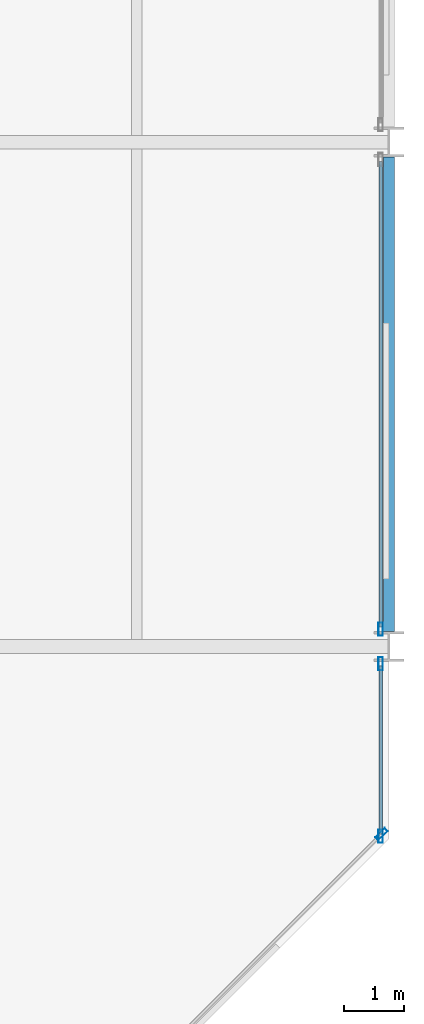
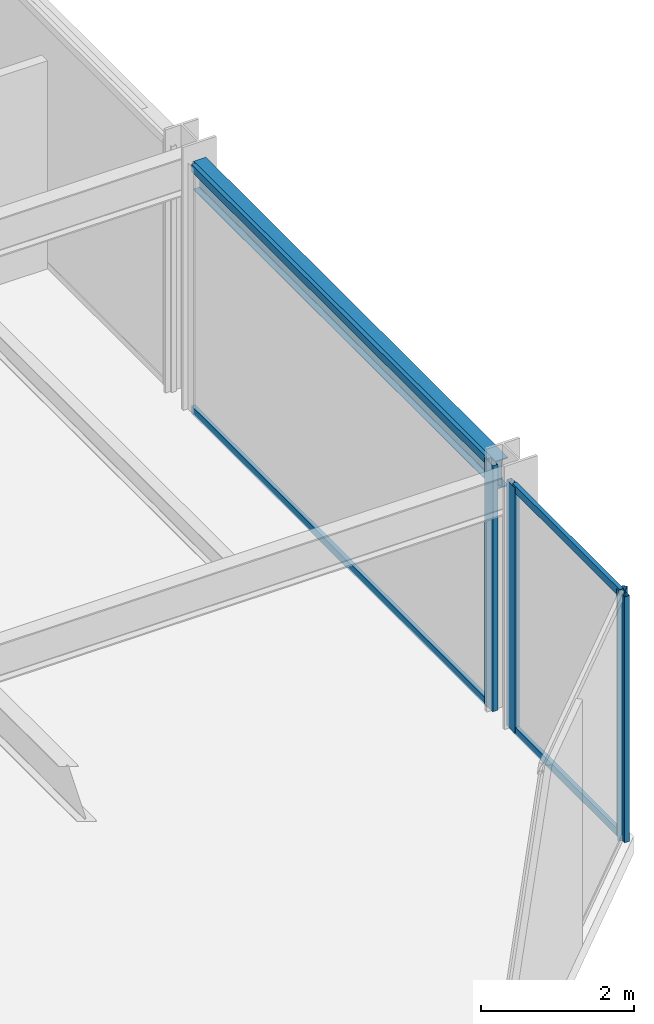
# One storey, part 11 of 24: 8 members, 1 beam, 3 elements without a shape of their own.
"""IFC4 building model written with IfcOpenShell, lengths in metres."""

from ifc_helpers import new_model, si_unit, direction, frame, origin, origin_2d, place, context, subcontext, project, spatial, hollow_rectangle, i_section, extrude, material, layer, layer_set, material_profile, profile_set, type_object, element, aggregate, save


model = new_model("IFC4")

# Units and contexts
model_context = context("Model", 3, precision=1e-05, world=origin(), true_north=direction((0.0, 1.0)))
body_context = subcontext(model_context, "Body", "Model", "MODEL_VIEW")
ifc_project = project(units=[si_unit("LENGTHUNIT", "METRE"), si_unit("AREAUNIT", "SQUARE_METRE"), si_unit("VOLUMEUNIT", "CUBIC_METRE"), si_unit("PLANEANGLEUNIT", "RADIAN"), si_unit("MASSUNIT", "GRAM", prefix="KILO")], contexts=[model_context])

# Site, building, storey
site_placement = place(None, origin())
site = spatial("IfcSite", under=ifc_project, at=site_placement, CompositionType="ELEMENT")
building_placement = place(site_placement, origin())
building = spatial("IfcBuilding", under=site, at=building_placement, Name="Nerrivon Quay Data Exchange", CompositionType="ELEMENT")
storey_placement = place(building_placement, frame((0.0, 0.0, 50.0)))
storey = spatial("IfcBuildingStorey", under=building, at=storey_placement, Name="L11", CompositionType="ELEMENT", Elevation=50.0)

# Beam
ifc_material_1 = material(Name="Steel Grade 350", Category="steel")
ifc_material_profile_1 = material_profile(ifc_material_1, i_section(OverallWidth=0.18994140625, OverallDepth=0.4541015625, WebThickness=0.008544921875, FlangeThickness=0.0126953125, FilletRadius=0.011474609375, at=origin_2d()), Name="460UB67.1")
ifc_profile_set_1 = profile_set([ifc_material_profile_1], Name="Steel Grade 350")
beam_type = type_object("IfcBeamType", Name="BM-SP1-460UB67", PredefinedType="SPANDREL", material=ifc_profile_set_1)
beam_placement = place(storey_placement, frame((50.39990234375, 8.64990234375, 3.697998046875), z_axis=(0.0, 1.0, 0.0), x_axis=(-1.0, 0.0, 0.0)))
element("IfcBeam", 1, at=beam_placement, inside=storey, type_object=beam_type, Name="L11 NS Girder X=50.4 (8.4..16.8)", PredefinedType="SPANDREL", context=body_context, shape_type="SweptSolid", body=[
    extrude(i_section(OverallWidth=0.18994140625, OverallDepth=0.4541015625, WebThickness=0.008544921875, FlangeThickness=0.0126953125, FilletRadius=0.011474609375, at=origin_2d()), origin(), (0.0, 0.0, 1.0), 7.900146484375),
])

# Curtain wall, member
ifc_material_2 = material(Name="Anodised aluminium 6063-T6", Category="aluminium")
ifc_layer = layer(ifc_material_2, 0.219970703125)
ifc_layer_set = layer_set([ifc_layer], Name="Anodised aluminium 6063-T6")
curtain_wall_type = type_object("IfcCurtainWallType", Name="CW-SYS-01", PredefinedType="NOTDEFINED", material=ifc_layer_set)
curtain_wall_1_placement = place(storey_placement, origin())
curtain_wall_1 = element("IfcCurtainWall", 2, at=curtain_wall_1_placement, inside=storey, type_object=curtain_wall_type, Name="L11 Unitised Curtain Wall 1", PredefinedType="NOTDEFINED")
ifc_material_profile_2 = material_profile(ifc_material_2, hollow_rectangle(XDim=0.074951171875, YDim=0.219970703125, WallThickness=0.00390625, at=origin_2d()), Name="ALU-MULL-220x75")
ifc_profile_set_2 = profile_set([ifc_material_profile_2], Name="Anodised aluminium 6063-T6")
member_type_1 = type_object("IfcMemberType", Name="CWM-220x75", PredefinedType="MULLION", material=ifc_profile_set_2)
member_1_placement = place(storey_placement, frame((50.2744140625, 5.2724609375, 0.0), z_axis=(0.0, 0.0, 1.0), x_axis=(0.707106781187, -0.707106781187, 0.0)))
member_1 = element("IfcMember", 3, at=member_1_placement, type_object=member_type_1, Name="CW01 mullion 1", PredefinedType="MULLION", context=body_context, shape_type="SweptSolid", body=[
    extrude(hollow_rectangle(XDim=0.074951171875, YDim=0.219970703125, WallThickness=0.00390625, at=origin_2d()), origin(), (0.0, 0.0, 1.0), 3.925048828125),
])
aggregate(curtain_wall_1, [member_1])

curtain_wall_2_placement = place(storey_placement, origin())
curtain_wall_2 = element("IfcCurtainWall", 4, at=curtain_wall_2_placement, inside=storey, type_object=curtain_wall_type, Name="L11 Unitised Curtain Wall 32", PredefinedType="NOTDEFINED")
member_2_placement = place(storey_placement, frame((50.260009765625, 8.6875, 0.0), z_axis=(0.0, 0.0, 1.0), x_axis=(1.0, 0.0, 0.0)))
member_2 = element("IfcMember", 5, at=member_2_placement, type_object=member_type_1, Name="CW01 mullion 2", PredefinedType="MULLION", context=body_context, shape_type="SweptSolid", body=[
    extrude(hollow_rectangle(XDim=0.074951171875, YDim=0.219970703125, WallThickness=0.00390625, at=origin_2d()), origin(), (0.0, 0.0, 1.0), 3.925048828125),
])

# Curtain wall, members
curtain_wall_3_placement = place(storey_placement, origin())
curtain_wall_3 = element("IfcCurtainWall", 6, at=curtain_wall_3_placement, inside=storey, type_object=curtain_wall_type, Name="L11 Unitised Curtain Wall 33", PredefinedType="NOTDEFINED")
member_3_placement = place(storey_placement, frame((50.260009765625, 8.112548828125, 0.0), z_axis=(0.0, 0.0, 1.0), x_axis=(1.0, 0.0, 0.0)))
member_3 = element("IfcMember", 7, at=member_3_placement, type_object=member_type_1, Name="CW01 mullion 1", PredefinedType="MULLION", context=body_context, shape_type="SweptSolid", body=[
    extrude(hollow_rectangle(XDim=0.074951171875, YDim=0.219970703125, WallThickness=0.00390625, at=origin_2d()), origin(), (0.0, 0.0, 1.0), 3.925048828125),
])
member_4_placement = place(storey_placement, frame((50.260009765625, 5.237548828125, 0.0), z_axis=(0.0, 0.0, 1.0), x_axis=(1.0, 0.0, 0.0)))
member_4 = element("IfcMember", 8, at=member_4_placement, type_object=member_type_1, Name="CW01 mullion 2", PredefinedType="MULLION", context=body_context, shape_type="SweptSolid", body=[
    extrude(hollow_rectangle(XDim=0.074951171875, YDim=0.219970703125, WallThickness=0.00390625, at=origin_2d()), origin(), (0.0, 0.0, 1.0), 3.925048828125),
])

# Member
ifc_material_profile_3 = material_profile(ifc_material_2, hollow_rectangle(XDim=0.06005859375, YDim=0.1201171875, WallThickness=0.003173828125, at=origin_2d()), Name="ALU-TRAN-120x60")
ifc_profile_set_3 = profile_set([ifc_material_profile_3], Name="Anodised aluminium 6063-T6")
member_type_2 = type_object("IfcMemberType", Name="CWT-120x60", PredefinedType="USERDEFINED", material=ifc_profile_set_3)
member_5_placement = place(storey_placement, frame((50.260009765625, 16.47509765625, 0.032470703125), z_axis=(0.0, -1.0, 0.0), x_axis=(1.0, 0.0, 0.0)))
member_5 = element("IfcMember", 9, at=member_5_placement, type_object=member_type_2, Name="CW01 transom 1.1", ObjectType="TRANSOM", PredefinedType="USERDEFINED", context=body_context, shape_type="SweptSolid", body=[
    extrude(hollow_rectangle(XDim=0.06005859375, YDim=0.1201171875, WallThickness=0.003173828125, at=origin_2d()), origin(), (0.0, 0.0, 1.0), 7.75),
])

member_6_placement = place(storey_placement, frame((50.260009765625, 16.47509765625, 3.892578125), z_axis=(0.0, -1.0, 0.0), x_axis=(1.0, 0.0, 0.0)))
member_6 = element("IfcMember", 10, at=member_6_placement, type_object=member_type_2, Name="CW01 transom 1.2", ObjectType="TRANSOM", PredefinedType="USERDEFINED", context=body_context, shape_type="SweptSolid", body=[
    extrude(hollow_rectangle(XDim=0.06005859375, YDim=0.1201171875, WallThickness=0.003173828125, at=origin_2d()), origin(), (0.0, 0.0, 1.0), 7.75),
])

aggregate(curtain_wall_2, [member_2, member_5, member_6])

member_7_placement = place(storey_placement, frame((50.260009765625, 8.074951171875, 0.032470703125), z_axis=(0.0, -1.0, 0.0), x_axis=(1.0, 0.0, 0.0)))
member_7 = element("IfcMember", 11, at=member_7_placement, type_object=member_type_2, Name="CW01 transom 1.1", ObjectType="TRANSOM", PredefinedType="USERDEFINED", context=body_context, shape_type="SweptSolid", body=[
    extrude(hollow_rectangle(XDim=0.06005859375, YDim=0.1201171875, WallThickness=0.003173828125, at=origin_2d()), origin(), (0.0, 0.0, 1.0), 2.800048828125),
])

member_8_placement = place(storey_placement, frame((50.260009765625, 8.074951171875, 3.892578125), z_axis=(0.0, -1.0, 0.0), x_axis=(1.0, 0.0, 0.0)))
member_8 = element("IfcMember", 12, at=member_8_placement, type_object=member_type_2, Name="CW01 transom 1.2", ObjectType="TRANSOM", PredefinedType="USERDEFINED", context=body_context, shape_type="SweptSolid", body=[
    extrude(hollow_rectangle(XDim=0.06005859375, YDim=0.1201171875, WallThickness=0.003173828125, at=origin_2d()), origin(), (0.0, 0.0, 1.0), 2.800048828125),
])

aggregate(curtain_wall_3, [member_3, member_4, member_7, member_8])

save(model, "model.ifc")
